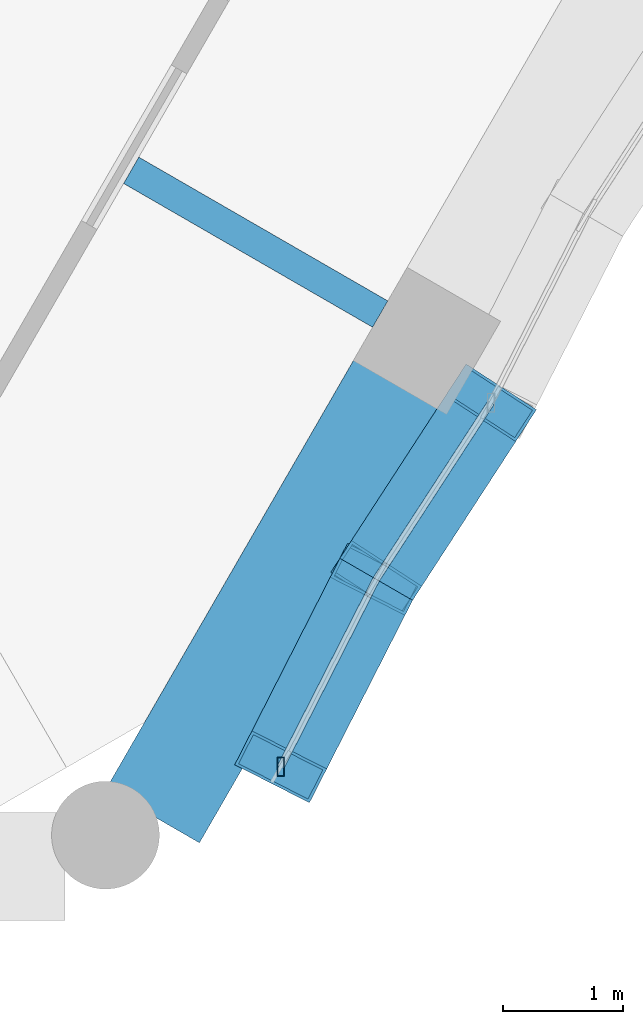
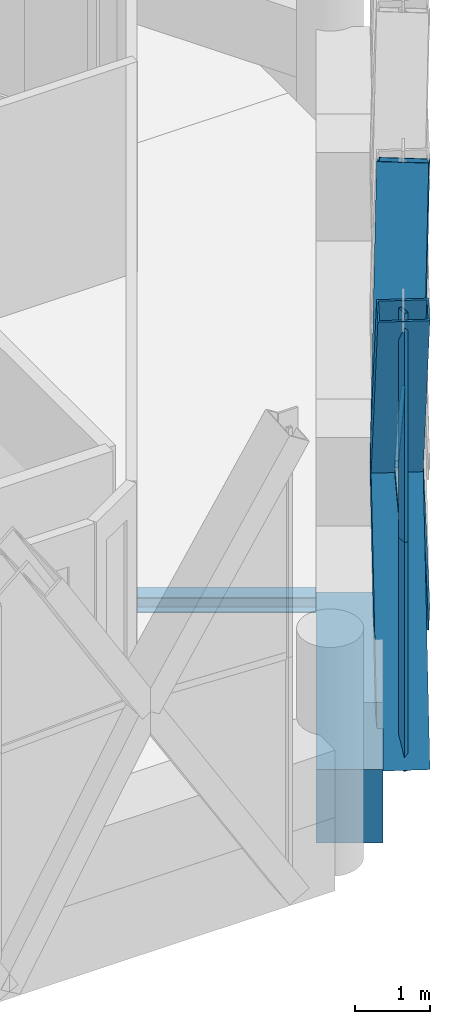
# One storey, part 6 of 27: 8 members, 2 beams, 2 elements without a shape of their own.
"""IFC4 building model written with IfcOpenShell, lengths in metres."""

from ifc_helpers import new_model, si_unit, direction, frame, origin, origin_2d, place, context, subcontext, project, spatial, rectangle, hollow_rectangle, i_section, extrude, material, material_profile, profile_set, type_object, element, aggregate, save


model = new_model("IFC4")

# Units and contexts
model_context = context("Model", 3, precision=1e-05, world=origin(), true_north=direction((0.0, 1.0)))
body_context = subcontext(model_context, "Body", "Model", "MODEL_VIEW")
ifc_project = project(units=[si_unit("LENGTHUNIT", "METRE"), si_unit("AREAUNIT", "SQUARE_METRE"), si_unit("VOLUMEUNIT", "CUBIC_METRE"), si_unit("PLANEANGLEUNIT", "RADIAN"), si_unit("MASSUNIT", "GRAM", prefix="KILO")], contexts=[model_context])

# Site, building, storey
site_placement = place(None, origin())
site = spatial("IfcSite", under=ifc_project, at=site_placement, CompositionType="ELEMENT")
building_placement = place(site_placement, origin())
building = spatial("IfcBuilding", under=site, at=building_placement, Name="Ostrander Bayou Hotel Tower", CompositionType="ELEMENT")
storey_placement = place(building_placement, frame((0.0, 0.0, 267.5)))
storey = spatial("IfcBuildingStorey", under=building, at=storey_placement, Name="L66", CompositionType="ELEMENT", Elevation=267.5)

# Curtain wall, members
ifc_material_1 = material(Name="Aluminium and clear glass", Category="aluminium")
curtain_wall_type = type_object("IfcCurtainWallType", Name="CW-LAT lattice glazing", PredefinedType="NOTDEFINED", material=ifc_material_1)
curtain_wall_1_placement = place(storey_placement, origin())
curtain_wall_1 = element("IfcCurtainWall", 1, at=curtain_wall_1_placement, inside=storey, type_object=curtain_wall_type, Name="CW-LAT L66 SE 1", PredefinedType="NOTDEFINED")
ifc_material_2 = material(Name="Aluminium", Category="aluminium")
ifc_material_profile_1 = material_profile(ifc_material_2, hollow_rectangle(XDim=0.06005859375, YDim=0.159912109375, WallThickness=0.00390625, at=origin_2d()))
ifc_profile_set_1 = profile_set([ifc_material_profile_1], Name="Aluminium")
member_type_1 = type_object("IfcMemberType", Name="CW-LA mullion 60 x 160 mm", PredefinedType="MULLION", material=ifc_profile_set_1)
member_1_placement = place(storey_placement, frame((11.70751953125, -14.862060546875, -0.60009765625), z_axis=(0.0, 0.0, 1.0), x_axis=(1.0, 0.0, 0.0)))
member_1 = element("IfcMember", 2, at=member_1_placement, type_object=member_type_1, Name="CW-LAT mullion 1", PredefinedType="MULLION", context=body_context, shape_type="SweptSolid", body=[
    extrude(hollow_rectangle(XDim=0.06005859375, YDim=0.159912109375, WallThickness=0.00390625, at=origin_2d()), origin(), (0.0, 0.0, 1.0), 3.75),
])
member_2_placement = place(storey_placement, frame((11.70751953125, -14.862060546875, 3.14990234375), z_axis=(0.0, 0.0, 1.0), x_axis=(1.0, 0.0, 0.0)))
member_2 = element("IfcMember", 3, at=member_2_placement, type_object=member_type_1, Name="CW-LAT mullion 2", PredefinedType="MULLION", context=body_context, shape_type="SweptSolid", body=[
    extrude(hollow_rectangle(XDim=0.06005859375, YDim=0.159912109375, WallThickness=0.00390625, at=origin_2d()), origin(), (0.0, 0.0, 1.0), 3.75),
])
aggregate(curtain_wall_1, [member_1, member_2])

curtain_wall_2_placement = place(storey_placement, origin())
curtain_wall_2 = element("IfcCurtainWall", 4, at=curtain_wall_2_placement, inside=storey, type_object=curtain_wall_type, Name="CW-LAT L66 SE 2", PredefinedType="NOTDEFINED")
ifc_material_3 = material(Name="Aluminium", Category="aluminium")
ifc_material_profile_2 = material_profile(ifc_material_3, hollow_rectangle(XDim=0.06005859375, YDim=0.1201171875, WallThickness=0.00390625, at=origin_2d()))
ifc_profile_set_2 = profile_set([ifc_material_profile_2], Name="Aluminium")
member_type_2 = type_object("IfcMemberType", Name="CW-LA transom 60 x 120 mm", PredefinedType="USERDEFINED", material=ifc_profile_set_2)
member_3_placement = place(storey_placement, frame((11.70751953125, -14.862060546875, 3.14990234375), z_axis=(0.453927863456, 0.891038436196, 0.0), x_axis=(-0.891038436196, 0.453927863456, 0.0)))
member_3 = element("IfcMember", 5, at=member_3_placement, type_object=member_type_2, Name="CW-LAT transom 3", ObjectType="TRANSOM", PredefinedType="USERDEFINED", context=body_context, shape_type="SweptSolid", body=[
    extrude(hollow_rectangle(XDim=0.06005859375, YDim=0.1201171875, WallThickness=0.00390625, at=origin_2d()), origin(), (0.0, 0.0, 1.0), 1.756591796875),
])
member_4_placement = place(storey_placement, frame((13.4619140625, -11.823486328125, 3.14990234375), z_axis=(-0.544719684637, -0.838618187955, 0.0), x_axis=(0.838618187955, -0.544719684637, 0.0)))
member_4 = element("IfcMember", 6, at=member_4_placement, type_object=member_type_2, Name="CW-LAT transom 6", ObjectType="TRANSOM", PredefinedType="USERDEFINED", context=body_context, shape_type="SweptSolid", body=[
    extrude(hollow_rectangle(XDim=0.06005859375, YDim=0.1201171875, WallThickness=0.00390625, at=origin_2d()), origin(), (0.0, 0.0, 1.0), 1.7568359375),
])
aggregate(curtain_wall_2, [member_3, member_4])

# Beam
ifc_material_4 = material(Name="Steel ASTM A992", Category="steel")
ifc_material_profile_3 = material_profile(ifc_material_4, i_section(OverallWidth=0.25390625, OverallDepth=0.25341796875, WebThickness=0.008544921875, FlangeThickness=0.01416015625, at=origin_2d()))
ifc_profile_set_3 = profile_set([ifc_material_profile_3], Name="Steel ASTM A992")
beam_type_1 = type_object("IfcBeamType", Name="LB2 loggia bracket W10x49", PredefinedType="BEAM", material=ifc_profile_set_3)
beam_1_placement = place(storey_placement, frame((12.5380859375, -11.083251953125, -0.4267578125), z_axis=(-0.866024647952, 0.500001309137, 0.0), x_axis=(-0.500001309137, -0.866024647952, 0.0)))
element("IfcBeam", 7, at=beam_1_placement, inside=storey, type_object=beam_type_1, Name="LB2 L66 SE1", PredefinedType="BEAM", context=body_context, shape_type="SweptSolid", body=[
    extrude(i_section(OverallWidth=0.25390625, OverallDepth=0.25341796875, WebThickness=0.008544921875, FlangeThickness=0.01416015625, at=origin_2d()), origin(), (0.0, 0.0, 1.0), 2.39990234375),
])

# Members
ifc_material_5 = material(Name="Steel ASTM A572 Gr 50", Category="steel")
ifc_material_profile_4 = material_profile(ifc_material_5, hollow_rectangle(XDim=0.699951171875, YDim=0.35009765625, WallThickness=0.02490234375, at=origin_2d()))
ifc_profile_set_4 = profile_set([ifc_material_profile_4], Name="Steel ASTM A572 Gr 50")
member_type_3 = type_object("IfcMemberType", Name="LT1 lattice member box 700 x 350 x 25 mm", PredefinedType="BRACE", material=ifc_profile_set_4)
for number, where, z_axis, x_axis, name in (
    (8, (12.5048828125, -13.296875, 3.14990234375), (-0.192552120059, -0.37797049654, -0.905572738551), (0.891038436196, -0.453927863456, 0.0), "LT1 L66 SE 1"),
    (9, (12.5048828125, -13.296875, 3.14990234375), (-0.192552120059, -0.37797049654, 0.905572738551), (0.891038436196, -0.453927863456, 0.0), "LT1 L66 SE 2"),
    (10, (12.5048828125, -13.296875, 3.14990234375), (0.231101697534, 0.355790496076, -0.905541345439), (-0.838618187955, 0.544719684637, 0.0), "LT1 L66 SE 3"),
    (11, (12.5048828125, -13.296875, 3.14990234375), (0.231101697534, 0.355790496076, 0.905541345439), (-0.838618187955, 0.544719684637, 0.0), "LT1 L66 SE 4"),
):
    element("IfcMember", number, at=place(storey_placement, frame(where, z_axis=z_axis, x_axis=x_axis)), inside=storey, type_object=member_type_3, Name=name, PredefinedType="BRACE", context=body_context, shape_type="SweptSolid", body=[
        extrude(hollow_rectangle(XDim=0.699951171875, YDim=0.35009765625, WallThickness=0.02490234375, at=origin_2d()), origin(), (0.0, 0.0, 1.0), 4.14111328125),
    ])

# Beam
ifc_material_6 = material(Name="Concrete f'c 60 MPa", Category="concrete")
ifc_material_profile_5 = material_profile(ifc_material_6, rectangle(XDim=0.89990234375, YDim=1.199951171875, at=origin_2d()))
ifc_profile_set_5 = profile_set([ifc_material_profile_5], Name="Concrete f'c 60 MPa")
beam_type_2 = type_object("IfcBeamType", Name="SP4 spandrel beam 900 x 1200 mm f'c 60 MPa", PredefinedType="SPANDREL", material=ifc_profile_set_5)
beam_2_placement = place(storey_placement, frame((10.6396484375, -15.271484375, -0.60009765625), z_axis=(0.50000550616, 0.866022224778, 0.0), x_axis=(-0.866022224778, 0.50000550616, 0.0)))
element("IfcBeam", 12, at=beam_2_placement, inside=storey, type_object=beam_type_2, Name="SP4 L66 SE-1", PredefinedType="SPANDREL", context=body_context, shape_type="SweptSolid", body=[
    extrude(rectangle(XDim=0.89990234375, YDim=1.199951171875, at=origin_2d()), origin(), (0.0, 0.0, 1.0), 4.15625),
])

save(model, "model.ifc")
